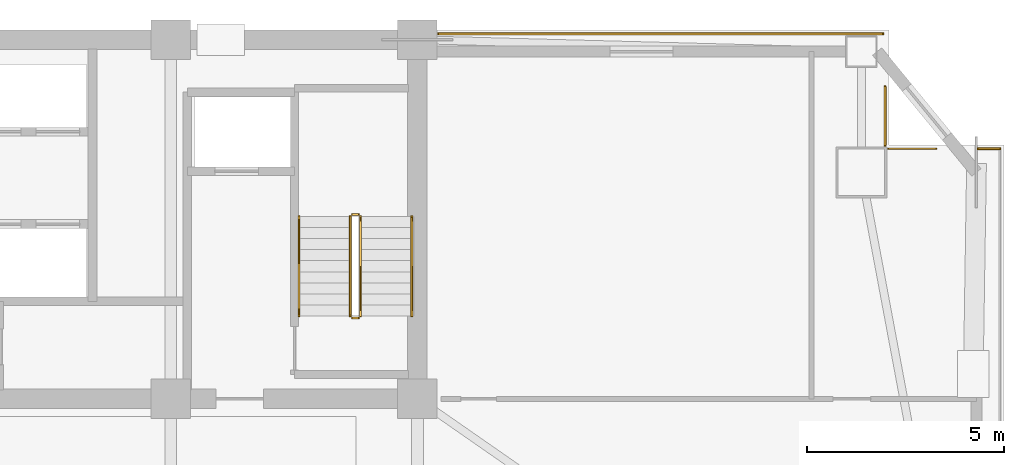
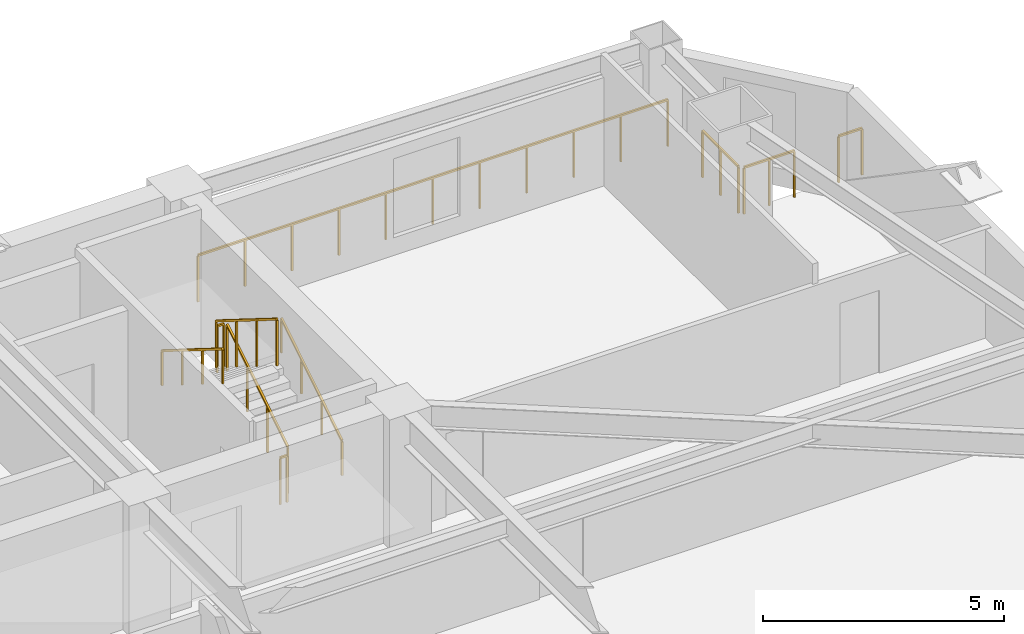
# One storey, part 16 of 16: 10 railings.
"""IFC4 building model written with IfcOpenShell, lengths in metres."""

from ifc_helpers import new_model, si_unit, direction, frame, origin, origin_2d, place, context, subcontext, project, spatial, rectangle, extrude, material, type_object, element, save


model = new_model("IFC4")

# Units and contexts
model_context = context("Model", 3, precision=1e-05, world=origin(), true_north=direction((0.0, 1.0)))
body_context = subcontext(model_context, "Body", "Model", "MODEL_VIEW")
ifc_project = project(units=[si_unit("LENGTHUNIT", "METRE"), si_unit("AREAUNIT", "SQUARE_METRE"), si_unit("VOLUMEUNIT", "CUBIC_METRE"), si_unit("PLANEANGLEUNIT", "RADIAN"), si_unit("MASSUNIT", "GRAM", prefix="KILO")], contexts=[model_context])

# Site, building, storey
site_placement = place(None, origin())
site = spatial("IfcSite", under=ifc_project, at=site_placement, CompositionType="ELEMENT")
building_placement = place(site_placement, origin())
building = spatial("IfcBuilding", under=site, at=building_placement, Name="Giltprow Tower", CompositionType="ELEMENT")
storey_placement = place(building_placement, frame((0.0, 0.0, 159.699951171875)))
storey = spatial("IfcBuildingStorey", under=building, at=storey_placement, Name="L39", CompositionType="ELEMENT", Elevation=159.699951171875)

# Railings
ifc_material = material(Name="Anodized bronze", Category="metal")
railing_type_1 = type_object("IfcRailingType", Name="RAIL-BALC-GUARD-1200", PredefinedType="BALUSTRADE", material=ifc_material)
railing_1_placement = place(storey_placement, frame((51.0849609375, 46.699951171875, 0.0)))
element("IfcRailing", 1, at=railing_1_placement, inside=storey, type_object=railing_type_1, Name="L39 Corner Apron Edge Balustrade 10", PredefinedType="BALUSTRADE", context=body_context, shape_type="SweptSolid", body=[
    extrude(rectangle(XDim=0.048095703125, YDim=0.048095703125, at=origin_2d()), frame((0.0, 0.0, 1.17578125), z_axis=(1.0, 0.0, 0.0), x_axis=(0.0, 1.0, 0.0)), (0.0, 0.0, 1.0), 11.257080078125),
    extrude(rectangle(XDim=0.0419921875, YDim=0.0419921875, at=origin_2d()), origin(), (0.0, 0.0, 1.0), 1.15185546875),
    extrude(rectangle(XDim=0.0419921875, YDim=0.0419921875, at=origin_2d()), frame((1.125732421875, 0.0, 0.0)), (0.0, 0.0, 1.0), 1.15185546875),
    extrude(rectangle(XDim=0.0419921875, YDim=0.0419921875, at=origin_2d()), frame((2.25146484375, 0.0, 0.0)), (0.0, 0.0, 1.0), 1.15185546875),
    extrude(rectangle(XDim=0.0419921875, YDim=0.0419921875, at=origin_2d()), frame((3.377197265625, 0.0, 0.0)), (0.0, 0.0, 1.0), 1.15185546875),
    extrude(rectangle(XDim=0.0419921875, YDim=0.0419921875, at=origin_2d()), frame((4.5029296875, 0.0, 0.0)), (0.0, 0.0, 1.0), 1.15185546875),
    extrude(rectangle(XDim=0.0419921875, YDim=0.0419921875, at=origin_2d()), frame((5.62841796875, 0.0, 0.0)), (0.0, 0.0, 1.0), 1.15185546875),
    extrude(rectangle(XDim=0.0419921875, YDim=0.0419921875, at=origin_2d()), frame((6.754150390625, 0.0, 0.0)), (0.0, 0.0, 1.0), 1.15185546875),
    extrude(rectangle(XDim=0.0419921875, YDim=0.0419921875, at=origin_2d()), frame((7.8798828125, 0.0, 0.0)), (0.0, 0.0, 1.0), 1.15185546875),
    extrude(rectangle(XDim=0.0419921875, YDim=0.0419921875, at=origin_2d()), frame((9.005615234375, 0.0, 0.0)), (0.0, 0.0, 1.0), 1.15185546875),
    extrude(rectangle(XDim=0.0419921875, YDim=0.0419921875, at=origin_2d()), frame((10.13134765625, 0.0, 0.0)), (0.0, 0.0, 1.0), 1.15185546875),
    extrude(rectangle(XDim=0.0419921875, YDim=0.0419921875, at=origin_2d()), frame((11.257080078125, 0.0, 0.0)), (0.0, 0.0, 1.0), 1.15185546875),
])
railing_2_placement = place(storey_placement, frame((62.403076171875, 45.360107421875, 0.0)))
element("IfcRailing", 2, at=railing_2_placement, inside=storey, type_object=railing_type_1, Name="L39 Corner Apron Edge Balustrade 11", PredefinedType="BALUSTRADE", context=body_context, shape_type="SweptSolid", body=[
    extrude(rectangle(XDim=0.048095703125, YDim=0.048095703125, at=origin_2d()), frame((0.0, 0.0, 1.17578125), z_axis=(0.0, -1.0, 0.0), x_axis=(1.0, 0.0, 0.0)), (0.0, 0.0, 1.0), 1.488037109375),
    extrude(rectangle(XDim=0.0419921875, YDim=0.0419921875, at=origin_2d()), origin(), (0.0, 0.0, 1.0), 1.15185546875),
    extrude(rectangle(XDim=0.0419921875, YDim=0.0419921875, at=origin_2d()), frame((0.0, -0.744140625, 0.0)), (0.0, 0.0, 1.0), 1.15185546875),
    extrude(rectangle(XDim=0.0419921875, YDim=0.0419921875, at=origin_2d()), frame((0.0, -1.488037109375, 0.0)), (0.0, 0.0, 1.0), 1.15185546875),
])
railing_3_placement = place(storey_placement, frame((62.488037109375, 43.787109375, 0.0)))
element("IfcRailing", 3, at=railing_3_placement, inside=storey, type_object=railing_type_1, Name="L39 Corner Apron Edge Balustrade 12", PredefinedType="BALUSTRADE", context=body_context, shape_type="SweptSolid", body=[
    extrude(rectangle(XDim=0.048095703125, YDim=0.048095703125, at=origin_2d()), frame((0.0, 0.0, 1.17578125), z_axis=(1.0, 0.0, 0.0), x_axis=(0.0, 1.0, 0.0)), (0.0, 0.0, 1.0), 1.205078125),
    extrude(rectangle(XDim=0.0419921875, YDim=0.0419921875, at=origin_2d()), origin(), (0.0, 0.0, 1.0), 1.15185546875),
    extrude(rectangle(XDim=0.0419921875, YDim=0.0419921875, at=origin_2d()), frame((0.6025390625, 0.0, 0.0)), (0.0, 0.0, 1.0), 1.15185546875),
    extrude(rectangle(XDim=0.0419921875, YDim=0.0419921875, at=origin_2d()), frame((1.205078125, 0.0, 0.0)), (0.0, 0.0, 1.0), 1.15185546875),
])
railing_4_placement = place(storey_placement, frame((64.75390625, 43.787109375, 0.0)))
element("IfcRailing", 4, at=railing_4_placement, inside=storey, type_object=railing_type_1, Name="L39 Corner Apron Edge Balustrade 13", PredefinedType="BALUSTRADE", context=body_context, shape_type="SweptSolid", body=[
    extrude(rectangle(XDim=0.048095703125, YDim=0.048095703125, at=origin_2d()), frame((0.0, 0.0, 1.17578125), z_axis=(1.0, 0.0, 0.0), x_axis=(0.0, 1.0, 0.0)), (0.0, 0.0, 1.0), 0.56201171875),
    extrude(rectangle(XDim=0.0419921875, YDim=0.0419921875, at=origin_2d()), origin(), (0.0, 0.0, 1.0), 1.15185546875),
    extrude(rectangle(XDim=0.0419921875, YDim=0.0419921875, at=origin_2d()), frame((0.56201171875, 0.0, 0.0)), (0.0, 0.0, 1.0), 1.15185546875),
])
railing_type_2 = type_object("IfcRailingType", Name="RAIL-STAIR-GUARD-1200", PredefinedType="GUARDRAIL", material=ifc_material)
railing_5_placement = place(storey_placement, frame((49.110107421875, 39.550048828125, 0.175048828125)))
element("IfcRailing", 5, at=railing_5_placement, inside=storey, type_object=railing_type_2, Name="L39 ST-3 stair guard 1", PredefinedType="GUARDRAIL", context=body_context, shape_type="SweptSolid", body=[
    extrude(rectangle(XDim=0.048095703125, YDim=0.048095703125, at=origin_2d()), frame((0.0, 0.0, 1.17578125), z_axis=(0.0, 0.848007534815, 0.529984170421), x_axis=(-1.0, 0.0, 0.0)), (0.0, 0.0, 1.0), 2.9716796875),
    extrude(rectangle(XDim=0.0419921875, YDim=0.0419921875, at=origin_2d()), origin(), (0.0, 0.0, 1.0), 1.15185546875),
    extrude(rectangle(XDim=0.0419921875, YDim=0.0419921875, at=origin_2d()), frame((0.0, 0.840087890625, 0.52490234375)), (0.0, 0.0, 1.0), 1.15185546875),
    extrude(rectangle(XDim=0.0419921875, YDim=0.0419921875, at=origin_2d()), frame((0.0, 1.679931640625, 1.050048828125)), (0.0, 0.0, 1.0), 1.15185546875),
    extrude(rectangle(XDim=0.0419921875, YDim=0.0419921875, at=origin_2d()), frame((0.0, 2.52001953125, 1.574951171875)), (0.0, 0.0, 1.0), 1.15185546875),
])
railing_6_placement = place(storey_placement, frame((49.06005859375, 42.1201171875, 1.75)))
element("IfcRailing", 6, at=railing_6_placement, inside=storey, type_object=railing_type_2, Name="L39 ST-3 stair guard 2", PredefinedType="GUARDRAIL", context=body_context, shape_type="SweptSolid", body=[
    extrude(rectangle(XDim=0.048095703125, YDim=0.048095703125, at=origin_2d()), frame((0.0, 0.0, 1.17578125), z_axis=(-1.0, 0.0, 0.0), x_axis=(0.0, -1.0, 0.0)), (0.0, 0.0, 1.0), 0.16015625),
    extrude(rectangle(XDim=0.0419921875, YDim=0.0419921875, at=origin_2d()), origin(), (0.0, 0.0, 1.0), 1.15185546875),
    extrude(rectangle(XDim=0.0419921875, YDim=0.0419921875, at=origin_2d()), frame((-0.16015625, 0.0, 0.0)), (0.0, 0.0, 1.0), 1.15185546875),
])
railing_7_placement = place(storey_placement, frame((48.85009765625, 42.070068359375, 1.925048828125)))
element("IfcRailing", 7, at=railing_7_placement, inside=storey, type_object=railing_type_2, Name="L39 ST-3 stair guard 3", PredefinedType="GUARDRAIL", context=body_context, shape_type="SweptSolid", body=[
    extrude(rectangle(XDim=0.048095703125, YDim=0.048095703125, at=origin_2d()), frame((0.0, 0.0, 1.17578125), z_axis=(0.0, -0.848007534815, 0.529984170421), x_axis=(1.0, 0.0, 0.0)), (0.0, 0.0, 1.0), 2.9716796875),
    extrude(rectangle(XDim=0.0419921875, YDim=0.0419921875, at=origin_2d()), origin(), (0.0, 0.0, 1.0), 1.15185546875),
    extrude(rectangle(XDim=0.0419921875, YDim=0.0419921875, at=origin_2d()), frame((0.0, -0.840087890625, 0.52490234375)), (0.0, 0.0, 1.0), 1.15185546875),
    extrude(rectangle(XDim=0.0419921875, YDim=0.0419921875, at=origin_2d()), frame((0.0, -1.679931640625, 1.050048828125)), (0.0, 0.0, 1.0), 1.15185546875),
    extrude(rectangle(XDim=0.0419921875, YDim=0.0419921875, at=origin_2d()), frame((0.0, -2.52001953125, 1.574951171875)), (0.0, 0.0, 1.0), 1.15185546875),
])
railing_8_placement = place(storey_placement, frame((49.06005859375, 39.5, 0.0)))
element("IfcRailing", 8, at=railing_8_placement, inside=storey, type_object=railing_type_2, Name="L39 ST-3 stair guard 4", PredefinedType="GUARDRAIL", context=body_context, shape_type="SweptSolid", body=[
    extrude(rectangle(XDim=0.048095703125, YDim=0.048095703125, at=origin_2d()), frame((0.0, 0.0, 1.17578125), z_axis=(-1.0, 0.0, 0.0), x_axis=(0.0, -1.0, 0.0)), (0.0, 0.0, 1.0), 0.16015625),
    extrude(rectangle(XDim=0.0419921875, YDim=0.0419921875, at=origin_2d()), origin(), (0.0, 0.0, 1.0), 1.15185546875),
    extrude(rectangle(XDim=0.0419921875, YDim=0.0419921875, at=origin_2d()), frame((-0.16015625, 0.0, 0.0)), (0.0, 0.0, 1.0), 1.15185546875),
])
railing_type_3 = type_object("IfcRailingType", Name="RAIL-STAIR-HAND-900", PredefinedType="HANDRAIL", material=ifc_material)
railing_9_placement = place(storey_placement, frame((50.409912109375, 39.550048828125, 0.175048828125)))
element("IfcRailing", 9, at=railing_9_placement, inside=storey, type_object=railing_type_3, Name="L39 ST-3 stair handrail 1", PredefinedType="HANDRAIL", context=body_context, shape_type="SweptSolid", body=[
    extrude(rectangle(XDim=0.048095703125, YDim=0.048095703125, at=origin_2d()), frame((0.0, 0.0, 0.8759765625), z_axis=(0.0, 0.848007534815, 0.529984170421), x_axis=(-1.0, 0.0, 0.0)), (0.0, 0.0, 1.0), 2.9716796875),
    extrude(rectangle(XDim=0.0419921875, YDim=0.0419921875, at=origin_2d()), origin(), (0.0, 0.0, 1.0), 0.851806640625),
    extrude(rectangle(XDim=0.0419921875, YDim=0.0419921875, at=origin_2d()), frame((0.0, 0.840087890625, 0.52490234375)), (0.0, 0.0, 1.0), 0.851806640625),
    extrude(rectangle(XDim=0.0419921875, YDim=0.0419921875, at=origin_2d()), frame((0.0, 1.679931640625, 1.050048828125)), (0.0, 0.0, 1.0), 0.851806640625),
    extrude(rectangle(XDim=0.0419921875, YDim=0.0419921875, at=origin_2d()), frame((0.0, 2.52001953125, 1.574951171875)), (0.0, 0.0, 1.0), 0.851806640625),
])
railing_10_placement = place(storey_placement, frame((47.550048828125, 42.070068359375, 1.925048828125)))
element("IfcRailing", 10, at=railing_10_placement, inside=storey, type_object=railing_type_3, Name="L39 ST-3 stair handrail 2", PredefinedType="HANDRAIL", context=body_context, shape_type="SweptSolid", body=[
    extrude(rectangle(XDim=0.048095703125, YDim=0.048095703125, at=origin_2d()), frame((0.0, 0.0, 0.8759765625), z_axis=(0.0, -0.848007534815, 0.529984170421), x_axis=(1.0, 0.0, 0.0)), (0.0, 0.0, 1.0), 2.9716796875),
    extrude(rectangle(XDim=0.0419921875, YDim=0.0419921875, at=origin_2d()), origin(), (0.0, 0.0, 1.0), 0.851806640625),
    extrude(rectangle(XDim=0.0419921875, YDim=0.0419921875, at=origin_2d()), frame((0.0, -0.840087890625, 0.52490234375)), (0.0, 0.0, 1.0), 0.851806640625),
    extrude(rectangle(XDim=0.0419921875, YDim=0.0419921875, at=origin_2d()), frame((0.0, -1.679931640625, 1.050048828125)), (0.0, 0.0, 1.0), 0.851806640625),
    extrude(rectangle(XDim=0.0419921875, YDim=0.0419921875, at=origin_2d()), frame((0.0, -2.52001953125, 1.574951171875)), (0.0, 0.0, 1.0), 0.851806640625),
])

save(model, "model.ifc")
